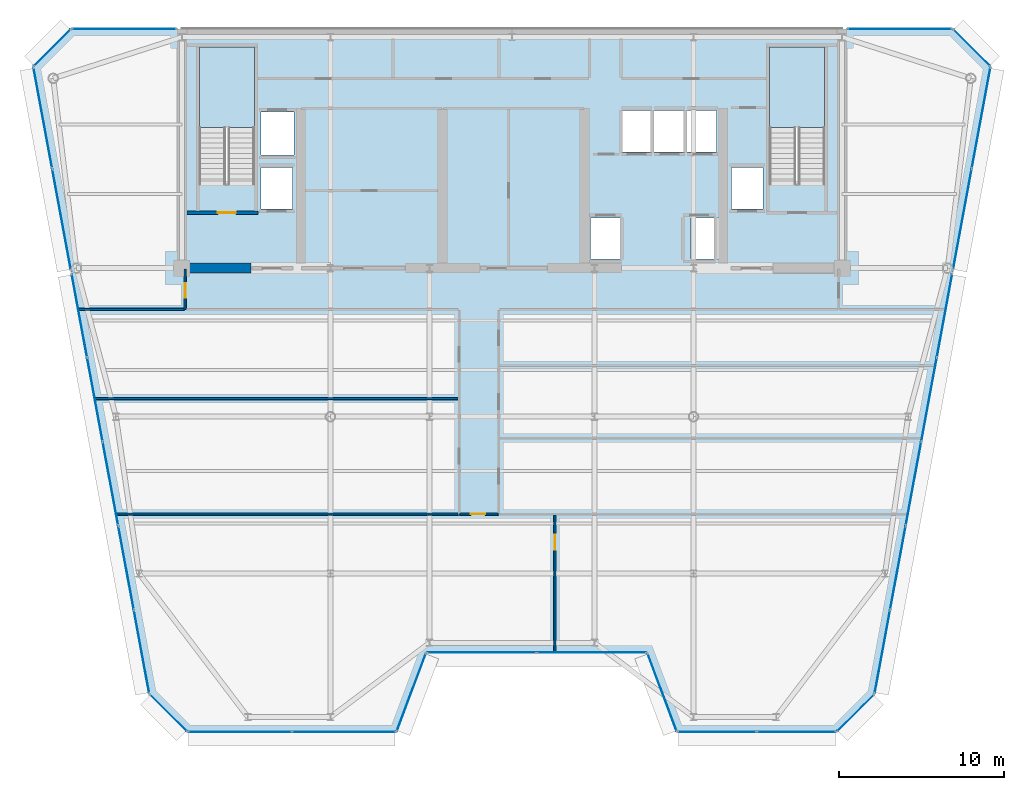
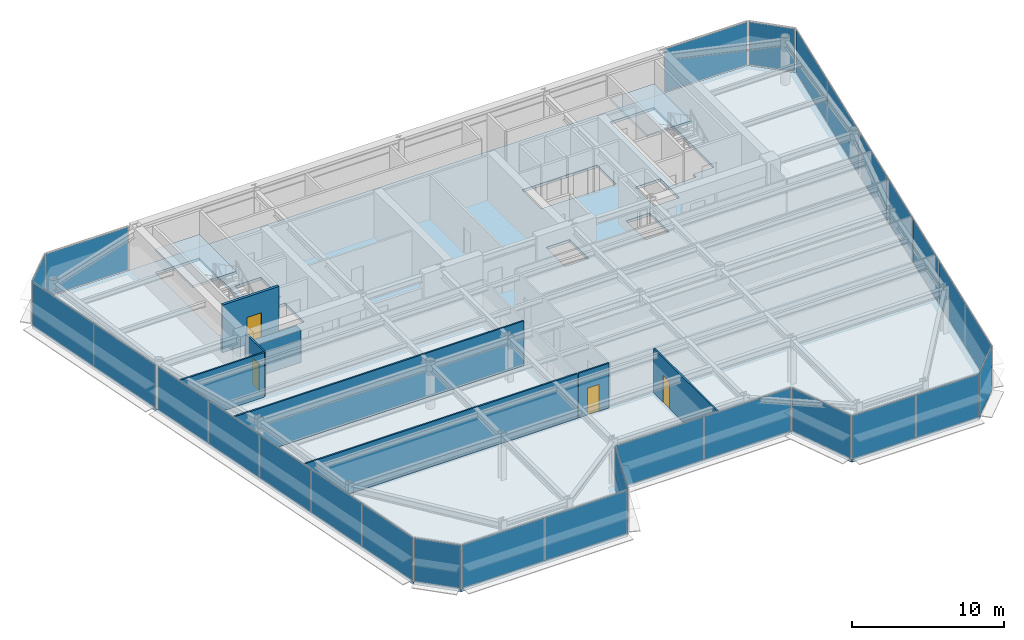
# One storey, part 10 of 16: 28 plates, 8 walls, 4 doors, 3 slabs, 4 openings, 17 elements without a shape of their own.
"""IFC4 building model written with IfcOpenShell, lengths in metres."""

from ifc_helpers import new_model, si_unit, direction, frame, frame_2d, origin, origin_2d, place, context, subcontext, project, spatial, polyline, rectangle, outline, extrude, source, transform, mapped, material, layer, layer_set, type_object, element, fill, aggregate, save


model = new_model("IFC4")

# Units and contexts
model_context = context("Model", 3, precision=1e-05, world=origin(), true_north=direction((0.0, 1.0)))
body_context = subcontext(model_context, "Body", "Model", "MODEL_VIEW")
ifc_project = project(units=[si_unit("LENGTHUNIT", "METRE"), si_unit("AREAUNIT", "SQUARE_METRE"), si_unit("VOLUMEUNIT", "CUBIC_METRE"), si_unit("PLANEANGLEUNIT", "RADIAN"), si_unit("MASSUNIT", "GRAM", prefix="KILO")], contexts=[model_context])

# Site, building, storey
site_placement = place(None, origin())
site = spatial("IfcSite", under=ifc_project, at=site_placement, CompositionType="ELEMENT")
building_placement = place(site_placement, origin())
building = spatial("IfcBuilding", under=site, at=building_placement, Name="Vaeldorn Concourse Tower", CompositionType="ELEMENT")
storey_placement = place(building_placement, frame((0.0, 0.0, 227.0)))
storey = spatial("IfcBuildingStorey", under=building, at=storey_placement, Name="L58", CompositionType="ELEMENT", Elevation=227.0)

# Stair, slab
ifc_material_1 = material(Name="Precast concrete C40/50", Category="concrete")
stair_type = type_object("IfcStairType", Name="STR-DOG-24x158", PredefinedType="HALF_TURN_STAIR", material=ifc_material_1)
stair_1_placement = place(storey_placement, origin())
stair_1 = element("IfcStair", 1, at=stair_1_placement, inside=storey, type_object=stair_type, Name="L58 West Core Exit Stair ST-1", PredefinedType="HALF_TURN_STAIR")
ifc_material_2 = material(Name="Concrete C40/50", Category="concrete")
ifc_layer_1 = layer(ifc_material_2, 0.199951171875)
ifc_layer_set_1 = layer_set([ifc_layer_1], Name="Concrete C40/50")
slab_type_1 = type_object("IfcSlabType", Name="SL-STAIR-LANDING", PredefinedType="LANDING", material=ifc_layer_set_1)
slab_1_placement = place(storey_placement, frame((0.0, 0.0, 1.699951171875)))
slab_1 = element("IfcSlab", 2, at=slab_1_placement, type_object=slab_type_1, Name="ST-1 landing 1", PredefinedType="LANDING", context=body_context, shape_type="SweptSolid", body=[
    extrude(outline(polyline([(18.39990234375, 45.010009765625), (18.39990234375, 49.89990234375), (15.050048828125, 49.89990234375), (15.050048828125, 45.010009765625), (18.39990234375, 45.010009765625)])), origin(), (0.0, 0.0, 1.0), 0.199951171875),
])
aggregate(stair_1, [slab_1])

stair_2_placement = place(storey_placement, origin())
stair_2 = element("IfcStair", 3, at=stair_2_placement, inside=storey, type_object=stair_type, Name="L58 East Core Exit Stair ST-2", PredefinedType="HALF_TURN_STAIR")
slab_2_placement = place(storey_placement, frame((0.0, 0.0, 1.699951171875)))
slab_2 = element("IfcSlab", 4, at=slab_2_placement, type_object=slab_type_1, Name="ST-2 landing 1", PredefinedType="LANDING", context=body_context, shape_type="SweptSolid", body=[
    extrude(outline(polyline([(52.949951171875, 45.010009765625), (52.949951171875, 49.89990234375), (49.60009765625, 49.89990234375), (49.60009765625, 45.010009765625), (52.949951171875, 45.010009765625)])), origin(), (0.0, 0.0, 1.0), 0.199951171875),
])
aggregate(stair_2, [slab_2])

# Slab
ifc_layer_2 = layer(ifc_material_2, 0.219970703125)
ifc_layer_set_2 = layer_set([ifc_layer_2], Name="Concrete C40/50")
slab_type_2 = type_object("IfcSlabType", Name="SL-TYP-220", PredefinedType="FLOOR", material=ifc_layer_set_2)
slab_3_placement = place(storey_placement, frame((0.0, 0.0, -0.219970703125)))
element("IfcSlab", 5, at=slab_3_placement, inside=storey, type_object=slab_type_2, Name="Structural Floor Slab L58", PredefinedType="FLOOR", context=body_context, shape_type="SweptSolid", body=[
    extrude(outline(polyline([(14.3291015625, 8.39990234375), (27.0, 8.39990234375), (28.800048828125, 13.199951171875), (42.199951171875, 13.199951171875), (44.0, 8.39990234375), (53.6708984375, 8.39990234375), (55.970947265625, 10.699951171875), (63.0, 48.699951171875), (60.699951171875, 51.0), (7.300048828125, 51.0), (5.0, 48.699951171875), (12.029052734375, 10.699951171875), (14.3291015625, 8.39990234375)]), holes=[polyline([(18.39990234375, 42.0), (18.39990234375, 49.89990234375), (15.050048828125, 49.89990234375), (15.050048828125, 41.60009765625), (16.800048828125, 41.60009765625), (16.800048828125, 42.0), (18.39990234375, 42.0)]), polyline([(52.949951171875, 42.0), (52.949951171875, 49.89990234375), (49.60009765625, 49.89990234375), (49.60009765625, 41.60009765625), (51.35009765625, 41.60009765625), (51.35009765625, 42.0), (52.949951171875, 42.0)]), polyline([(38.75, 37.050048828125), (40.550048828125, 37.050048828125), (40.550048828125, 39.550048828125), (38.75, 39.550048828125), (38.75, 37.050048828125)]), polyline([(44.85009765625, 37.050048828125), (46.64990234375, 37.050048828125), (46.64990234375, 39.550048828125), (44.85009765625, 39.550048828125), (44.85009765625, 37.050048828125)]), polyline([(40.699951171875, 43.550048828125), (46.39990234375, 43.550048828125), (46.39990234375, 46.050048828125), (40.699951171875, 46.050048828125), (40.699951171875, 43.550048828125)]), polyline([(18.800048828125, 43.35009765625), (20.800048828125, 43.35009765625), (20.800048828125, 45.949951171875), (18.800048828125, 45.949951171875), (18.800048828125, 43.35009765625)]), polyline([(18.800048828125, 40.10009765625), (20.699951171875, 40.10009765625), (20.699951171875, 42.60009765625), (18.800048828125, 42.60009765625), (18.800048828125, 40.10009765625)]), polyline([(47.300048828125, 40.10009765625), (49.199951171875, 40.10009765625), (49.199951171875, 42.60009765625), (47.300048828125, 42.60009765625), (47.300048828125, 40.10009765625)])]), origin(), (0.0, 0.0, 1.0), 0.219970703125),
])

# Curtain wall, plate
ifc_material_3 = material(Name="Anodised Bronze Aluminium", Category="aluminium")
ifc_layer_3 = layer(ifc_material_3, 0.179931640625)
ifc_layer_set_3 = layer_set([ifc_layer_3], Name="Anodised Bronze Aluminium")
curtain_wall_type = type_object("IfcCurtainWallType", Name="CW-SYS-05", PredefinedType="NOTDEFINED", material=ifc_layer_set_3)
curtain_wall_1_placement = place(storey_placement, origin())
curtain_wall_1 = element("IfcCurtainWall", 6, at=curtain_wall_1_placement, inside=storey, type_object=curtain_wall_type, Name="Unitised Curtain Wall CW-L58-E02-1", PredefinedType="NOTDEFINED")
ifc_material_4 = material(Name="Bronze Tinted Low-E Insulated Glass", Category="glass")
ifc_layer_4 = layer(ifc_material_4, 0.031982421875)
ifc_layer_set_4 = layer_set([ifc_layer_4], Name="Bronze Tinted Low-E Insulated Glass")
plate_type = type_object("IfcPlateType", Name="CWP-VISION-32", PredefinedType="CURTAIN_PANEL", material=ifc_layer_set_4)
shared_shape_1 = source(origin(), body_context, "Body", "SweptSolid", [
    extrude(rectangle(XDim=4.996337890625, YDim=0.031982421875, at=origin_2d()), origin(), (0.0, 0.0, 1.0), 3.449951171875),
])
plate_1_placement = place(storey_placement, frame((27.89990234375, 10.800048828125, 0.06494140625), z_axis=(0.0, 0.0, 1.0), x_axis=(0.351123441595, 0.936329177566, 0.0)))
plate_1 = element("IfcPlate", 7, at=plate_1_placement, type_object=plate_type, Name="CW-05 panel 1.1", PredefinedType="CURTAIN_PANEL", context=body_context, shape_type="MappedRepresentation", body=[
    mapped(shared_shape_1, transform((0.0, 0.0, 0.0), scale=1.0)),
])
aggregate(curtain_wall_1, [plate_1])

curtain_wall_2_placement = place(storey_placement, origin())
curtain_wall_2 = element("IfcCurtainWall", 8, at=curtain_wall_2_placement, inside=storey, type_object=curtain_wall_type, Name="Unitised Curtain Wall CW-L58-E04-1", PredefinedType="NOTDEFINED")
plate_2_placement = place(storey_placement, frame((43.10009765625, 10.800048828125, 0.06494140625), z_axis=(0.0, 0.0, 1.0), x_axis=(0.351123441595, -0.936329177566, 0.0)))
plate_2 = element("IfcPlate", 9, at=plate_2_placement, type_object=plate_type, Name="CW-05 panel 1.1", PredefinedType="CURTAIN_PANEL", context=body_context, shape_type="MappedRepresentation", body=[
    mapped(shared_shape_1, transform((0.0, 0.0, 0.0), scale=1.0)),
])
aggregate(curtain_wall_2, [plate_2])

# Curtain wall, plates
curtain_wall_3_placement = place(storey_placement, origin())
curtain_wall_3 = element("IfcCurtainWall", 10, at=curtain_wall_3_placement, inside=storey, type_object=curtain_wall_type, Name="Unitised Curtain Wall CW-L58-E03-1", PredefinedType="NOTDEFINED")
shared_shape_2 = source(origin(), body_context, "Body", "SweptSolid", [
    extrude(rectangle(XDim=6.6025390625, YDim=0.031982421875, at=origin_2d()), origin(), (0.0, 0.0, 1.0), 3.449951171875),
])
plate_3_placement = place(storey_placement, frame((32.166259765625, 13.199951171875, 0.06494140625), z_axis=(0.0, 0.0, 1.0), x_axis=(1.0, 0.0, 0.0)))
plate_3 = element("IfcPlate", 11, at=plate_3_placement, type_object=plate_type, Name="CW-05 panel 1.1", PredefinedType="CURTAIN_PANEL", context=body_context, shape_type="MappedRepresentation", body=[
    mapped(shared_shape_2, transform((0.0, 0.0, 0.0), scale=1.0)),
])
plate_4_placement = place(storey_placement, frame((38.833740234375, 13.199951171875, 0.06494140625), z_axis=(0.0, 0.0, 1.0), x_axis=(1.0, 0.0, 0.0)))
plate_4 = element("IfcPlate", 12, at=plate_4_placement, type_object=plate_type, Name="CW-05 panel 2.1", PredefinedType="CURTAIN_PANEL", context=body_context, shape_type="MappedRepresentation", body=[
    mapped(shared_shape_2, transform((0.0, 0.0, 0.0), scale=1.0)),
])
aggregate(curtain_wall_3, [plate_3, plate_4])

# Curtain wall, plate
curtain_wall_4_placement = place(storey_placement, origin())
curtain_wall_4 = element("IfcCurtainWall", 13, at=curtain_wall_4_placement, inside=storey, type_object=curtain_wall_type, Name="Unitised Curtain Wall CW-L58-E06-1", PredefinedType="NOTDEFINED")
shared_shape_3 = source(origin(), body_context, "Body", "SweptSolid", [
    extrude(rectangle(XDim=3.122802734375, YDim=0.031982421875, at=origin_2d()), origin(), (0.0, 0.0, 1.0), 3.449951171875),
])
plate_5_placement = place(storey_placement, frame((54.821044921875, 9.550048828125, 0.06494140625), z_axis=(0.0, 0.0, 1.0), x_axis=(0.707106781187, 0.707106781187, 0.0)))
plate_5 = element("IfcPlate", 14, at=plate_5_placement, type_object=plate_type, Name="CW-05 panel 1.1", PredefinedType="CURTAIN_PANEL", context=body_context, shape_type="MappedRepresentation", body=[
    mapped(shared_shape_3, transform((0.0, 0.0, 0.0), scale=1.0)),
])
aggregate(curtain_wall_4, [plate_5])

curtain_wall_5_placement = place(storey_placement, origin())
curtain_wall_5 = element("IfcCurtainWall", 15, at=curtain_wall_5_placement, inside=storey, type_object=curtain_wall_type, Name="Unitised Curtain Wall CW-L58-E08-1", PredefinedType="NOTDEFINED")
plate_6_placement = place(storey_placement, frame((61.85009765625, 49.85009765625, 0.06494140625), z_axis=(0.0, 0.0, 1.0), x_axis=(-0.707106781187, 0.707106781187, 0.0)))
plate_6 = element("IfcPlate", 16, at=plate_6_placement, type_object=plate_type, Name="CW-05 panel 1.1", PredefinedType="CURTAIN_PANEL", context=body_context, shape_type="MappedRepresentation", body=[
    mapped(shared_shape_3, transform((0.0, 0.0, 0.0), scale=1.0)),
])
aggregate(curtain_wall_5, [plate_6])

curtain_wall_6_placement = place(storey_placement, origin())
curtain_wall_6 = element("IfcCurtainWall", 17, at=curtain_wall_6_placement, inside=storey, type_object=curtain_wall_type, Name="Unitised Curtain Wall CW-L58-E10-1", PredefinedType="NOTDEFINED")
plate_7_placement = place(storey_placement, frame((6.14990234375, 49.85009765625, 0.06494140625), z_axis=(0.0, 0.0, 1.0), x_axis=(-0.707106781187, -0.707106781187, 0.0)))
plate_7 = element("IfcPlate", 18, at=plate_7_placement, type_object=plate_type, Name="CW-05 panel 1.1", PredefinedType="CURTAIN_PANEL", context=body_context, shape_type="MappedRepresentation", body=[
    mapped(shared_shape_3, transform((0.0, 0.0, 0.0), scale=1.0)),
])
aggregate(curtain_wall_6, [plate_7])

curtain_wall_7_placement = place(storey_placement, origin())
curtain_wall_7 = element("IfcCurtainWall", 19, at=curtain_wall_7_placement, inside=storey, type_object=curtain_wall_type, Name="Unitised Curtain Wall CW-L58-E12-1", PredefinedType="NOTDEFINED")
plate_8_placement = place(storey_placement, frame((13.178955078125, 9.550048828125, 0.06494140625), z_axis=(0.0, 0.0, 1.0), x_axis=(0.707106781187, -0.707106781187, 0.0)))
plate_8 = element("IfcPlate", 20, at=plate_8_placement, type_object=plate_type, Name="CW-05 panel 1.1", PredefinedType="CURTAIN_PANEL", context=body_context, shape_type="MappedRepresentation", body=[
    mapped(shared_shape_3, transform((0.0, 0.0, 0.0), scale=1.0)),
])
aggregate(curtain_wall_7, [plate_8])

curtain_wall_8_placement = place(storey_placement, origin())
curtain_wall_8 = element("IfcCurtainWall", 21, at=curtain_wall_8_placement, inside=storey, type_object=curtain_wall_type, Name="Unitised Curtain Wall CW-L58-E09-1", PredefinedType="NOTDEFINED")
shared_shape_4 = source(origin(), body_context, "Body", "SweptSolid", [
    extrude(rectangle(XDim=6.27490234375, YDim=0.031982421875, at=origin_2d()), origin(), (0.0, 0.0, 1.0), 3.449951171875),
])
plate_9_placement = place(storey_placement, frame((57.49755859375, 51.0, 0.06494140625), z_axis=(0.0, 0.0, 1.0), x_axis=(-1.0, 0.0, 0.0)))
plate_9 = element("IfcPlate", 22, at=plate_9_placement, type_object=plate_type, Name="CW-05 panel 1.1", PredefinedType="CURTAIN_PANEL", context=body_context, shape_type="MappedRepresentation", body=[
    mapped(shared_shape_4, transform((0.0, 0.0, 0.0), scale=1.0)),
])
aggregate(curtain_wall_8, [plate_9])

curtain_wall_9_placement = place(storey_placement, origin())
curtain_wall_9 = element("IfcCurtainWall", 23, at=curtain_wall_9_placement, inside=storey, type_object=curtain_wall_type, Name="Unitised Curtain Wall CW-L58-E09-2", PredefinedType="NOTDEFINED")
plate_10_placement = place(storey_placement, frame((10.50244140625, 51.0, 0.06494140625), z_axis=(0.0, 0.0, 1.0), x_axis=(-1.0, 0.0, 0.0)))
plate_10 = element("IfcPlate", 24, at=plate_10_placement, type_object=plate_type, Name="CW-05 panel 1.1", PredefinedType="CURTAIN_PANEL", context=body_context, shape_type="MappedRepresentation", body=[
    mapped(shared_shape_4, transform((0.0, 0.0, 0.0), scale=1.0)),
])
aggregate(curtain_wall_9, [plate_10])

# Curtain wall, plates
curtain_wall_10_placement = place(storey_placement, origin())
curtain_wall_10 = element("IfcCurtainWall", 25, at=curtain_wall_10_placement, inside=storey, type_object=curtain_wall_type, Name="Unitised Curtain Wall CW-L58-E01-1", PredefinedType="NOTDEFINED")
shared_shape_5 = source(origin(), body_context, "Body", "SweptSolid", [
    extrude(rectangle(XDim=6.238037109375, YDim=0.031982421875, at=origin_2d()), origin(), (0.0, 0.0, 1.0), 3.449951171875),
])
plate_11_placement = place(storey_placement, frame((17.512939453125, 8.39990234375, 0.06494140625), z_axis=(0.0, 0.0, 1.0), x_axis=(1.0, 0.0, 0.0)))
plate_11 = element("IfcPlate", 26, at=plate_11_placement, type_object=plate_type, Name="CW-05 panel 1.1", PredefinedType="CURTAIN_PANEL", context=body_context, shape_type="MappedRepresentation", body=[
    mapped(shared_shape_5, transform((0.0, 0.0, 0.0), scale=1.0)),
])
plate_12_placement = place(storey_placement, frame((23.81591796875, 8.39990234375, 0.06494140625), z_axis=(0.0, 0.0, 1.0), x_axis=(1.0, 0.0, 0.0)))
plate_12 = element("IfcPlate", 27, at=plate_12_placement, type_object=plate_type, Name="CW-05 panel 2.1", PredefinedType="CURTAIN_PANEL", context=body_context, shape_type="MappedRepresentation", body=[
    mapped(shared_shape_5, transform((0.0, 0.0, 0.0), scale=1.0)),
])
aggregate(curtain_wall_10, [plate_11, plate_12])

curtain_wall_11_placement = place(storey_placement, origin())
curtain_wall_11 = element("IfcCurtainWall", 28, at=curtain_wall_11_placement, inside=storey, type_object=curtain_wall_type, Name="Unitised Curtain Wall CW-L58-E05-1", PredefinedType="NOTDEFINED")
shared_shape_6 = source(origin(), body_context, "Body", "SweptSolid", [
    extrude(rectangle(XDim=4.738037109375, YDim=0.031982421875, at=origin_2d()), origin(), (0.0, 0.0, 1.0), 3.449951171875),
])
plate_13_placement = place(storey_placement, frame((46.43408203125, 8.39990234375, 0.06494140625), z_axis=(0.0, 0.0, 1.0), x_axis=(1.0, 0.0, 0.0)))
plate_13 = element("IfcPlate", 29, at=plate_13_placement, type_object=plate_type, Name="CW-05 panel 1.1", PredefinedType="CURTAIN_PANEL", context=body_context, shape_type="MappedRepresentation", body=[
    mapped(shared_shape_6, transform((0.0, 0.0, 0.0), scale=1.0)),
])
plate_14_placement = place(storey_placement, frame((51.237060546875, 8.39990234375, 0.06494140625), z_axis=(0.0, 0.0, 1.0), x_axis=(1.0, 0.0, 0.0)))
plate_14 = element("IfcPlate", 30, at=plate_14_placement, type_object=plate_type, Name="CW-05 panel 2.1", PredefinedType="CURTAIN_PANEL", context=body_context, shape_type="MappedRepresentation", body=[
    mapped(shared_shape_6, transform((0.0, 0.0, 0.0), scale=1.0)),
])
aggregate(curtain_wall_11, [plate_13, plate_14])

curtain_wall_12_placement = place(storey_placement, origin())
curtain_wall_12 = element("IfcCurtainWall", 31, at=curtain_wall_12_placement, inside=storey, type_object=curtain_wall_type, Name="Unitised Curtain Wall CW-L58-E07-1", PredefinedType="NOTDEFINED")
shared_shape_7 = source(origin(), body_context, "Body", "SweptSolid", [
    extrude(rectangle(XDim=5.0859375, YDim=0.031982421875, at=origin_2d()), origin(), (0.0, 0.0, 1.0), 3.449951171875),
])
plate_15_placement = place(storey_placement, frame((56.4453125, 13.264404296875, 0.06494140625), z_axis=(0.0, 0.0, 1.0), x_axis=(0.181889882456, 0.98331890588, 0.0)))
plate_15 = element("IfcPlate", 32, at=plate_15_placement, type_object=plate_type, Name="CW-05 panel 1.1", PredefinedType="CURTAIN_PANEL", context=body_context, shape_type="MappedRepresentation", body=[
    mapped(shared_shape_7, transform((0.0, 0.0, 0.0), scale=1.0)),
])
plate_16_placement = place(storey_placement, frame((60.210693359375, 33.62060546875, 0.06494140625), z_axis=(0.0, 0.0, 1.0), x_axis=(0.181889882456, 0.98331890588, 0.0)))
plate_16 = element("IfcPlate", 33, at=plate_16_placement, type_object=plate_type, Name="CW-05 panel 5.1", PredefinedType="CURTAIN_PANEL", context=body_context, shape_type="MappedRepresentation", body=[
    mapped(shared_shape_7, transform((0.0, 0.0, 0.0), scale=1.0)),
])

curtain_wall_13_placement = place(storey_placement, origin())
curtain_wall_13 = element("IfcCurtainWall", 34, at=curtain_wall_13_placement, inside=storey, type_object=curtain_wall_type, Name="Unitised Curtain Wall CW-L58-E11-2", PredefinedType="NOTDEFINED")
plate_17_placement = place(storey_placement, frame((7.789306640625, 33.62060546875, 0.06494140625), z_axis=(0.0, 0.0, 1.0), x_axis=(0.181889882456, -0.98331890588, 0.0)))
plate_17 = element("IfcPlate", 35, at=plate_17_placement, type_object=plate_type, Name="CW-05 panel 1.1", PredefinedType="CURTAIN_PANEL", context=body_context, shape_type="MappedRepresentation", body=[
    mapped(shared_shape_7, transform((0.0, 0.0, 0.0), scale=1.0)),
])
plate_18_placement = place(storey_placement, frame((11.5546875, 13.264404296875, 0.06494140625), z_axis=(0.0, 0.0, 1.0), x_axis=(0.181889882456, -0.98331890588, 0.0)))
plate_18 = element("IfcPlate", 36, at=plate_18_placement, type_object=plate_type, Name="CW-05 panel 5.1", PredefinedType="CURTAIN_PANEL", context=body_context, shape_type="MappedRepresentation", body=[
    mapped(shared_shape_7, transform((0.0, 0.0, 0.0), scale=1.0)),
])

# Plate
shared_shape_8 = source(origin(), body_context, "Body", "SweptSolid", [
    extrude(rectangle(XDim=5.118408203125, YDim=0.031982421875, at=origin_2d()), origin(), (0.0, 0.0, 1.0), 3.449951171875),
])
plate_19_placement = place(storey_placement, frame((57.38525390625, 18.345458984375, 0.06494140625), z_axis=(0.0, 0.0, 1.0), x_axis=(0.181889882456, 0.98331890588, 0.0)))
plate_19 = element("IfcPlate", 37, at=plate_19_placement, type_object=plate_type, Name="CW-05 panel 2.1", PredefinedType="CURTAIN_PANEL", context=body_context, shape_type="MappedRepresentation", body=[
    mapped(shared_shape_8, transform((0.0, 0.0, 0.0), scale=1.0)),
])

plate_20_placement = place(storey_placement, frame((58.328125, 23.4423828125, 0.06494140625), z_axis=(0.0, 0.0, 1.0), x_axis=(0.181889882456, 0.98331890588, 0.0)))
plate_20 = element("IfcPlate", 38, at=plate_20_placement, type_object=plate_type, Name="CW-05 panel 3.1", PredefinedType="CURTAIN_PANEL", context=body_context, shape_type="MappedRepresentation", body=[
    mapped(shared_shape_8, transform((0.0, 0.0, 0.0), scale=1.0)),
])

plate_21_placement = place(storey_placement, frame((59.270751953125, 28.53955078125, 0.06494140625), z_axis=(0.0, 0.0, 1.0), x_axis=(0.181889882456, 0.98331890588, 0.0)))
plate_21 = element("IfcPlate", 39, at=plate_21_placement, type_object=plate_type, Name="CW-05 panel 4.1", PredefinedType="CURTAIN_PANEL", context=body_context, shape_type="MappedRepresentation", body=[
    mapped(shared_shape_8, transform((0.0, 0.0, 0.0), scale=1.0)),
])

aggregate(curtain_wall_12, [plate_15, plate_19, plate_20, plate_21, plate_16])

plate_22_placement = place(storey_placement, frame((8.729248046875, 28.53955078125, 0.06494140625), z_axis=(0.0, 0.0, 1.0), x_axis=(0.181889882456, -0.98331890588, 0.0)))
plate_22 = element("IfcPlate", 40, at=plate_22_placement, type_object=plate_type, Name="CW-05 panel 2.1", PredefinedType="CURTAIN_PANEL", context=body_context, shape_type="MappedRepresentation", body=[
    mapped(shared_shape_8, transform((0.0, 0.0, 0.0), scale=1.0)),
])

plate_23_placement = place(storey_placement, frame((9.671875, 23.4423828125, 0.06494140625), z_axis=(0.0, 0.0, 1.0), x_axis=(0.181889882456, -0.98331890588, 0.0)))
plate_23 = element("IfcPlate", 41, at=plate_23_placement, type_object=plate_type, Name="CW-05 panel 3.1", PredefinedType="CURTAIN_PANEL", context=body_context, shape_type="MappedRepresentation", body=[
    mapped(shared_shape_8, transform((0.0, 0.0, 0.0), scale=1.0)),
])

plate_24_placement = place(storey_placement, frame((10.61474609375, 18.345458984375, 0.06494140625), z_axis=(0.0, 0.0, 1.0), x_axis=(0.181889882456, -0.98331890588, 0.0)))
plate_24 = element("IfcPlate", 42, at=plate_24_placement, type_object=plate_type, Name="CW-05 panel 4.1", PredefinedType="CURTAIN_PANEL", context=body_context, shape_type="MappedRepresentation", body=[
    mapped(shared_shape_8, transform((0.0, 0.0, 0.0), scale=1.0)),
])

aggregate(curtain_wall_13, [plate_17, plate_22, plate_23, plate_24, plate_18])

# Curtain wall, plates
curtain_wall_14_placement = place(storey_placement, origin())
curtain_wall_14 = element("IfcCurtainWall", 43, at=curtain_wall_14_placement, inside=storey, type_object=curtain_wall_type, Name="Unitised Curtain Wall CW-L58-E07-2", PredefinedType="NOTDEFINED")
shared_shape_9 = source(origin(), body_context, "Body", "SweptSolid", [
    extrude(rectangle(XDim=6.183837890625, YDim=0.031982421875, at=origin_2d()), origin(), (0.0, 0.0, 1.0), 3.449951171875),
])
plate_25_placement = place(storey_placement, frame((61.289306640625, 39.451171875, 0.06494140625), z_axis=(0.0, 0.0, 1.0), x_axis=(0.181888300792, 0.983319198447, 0.0)))
plate_25 = element("IfcPlate", 44, at=plate_25_placement, type_object=plate_type, Name="CW-05 panel 1.1", PredefinedType="CURTAIN_PANEL", context=body_context, shape_type="MappedRepresentation", body=[
    mapped(shared_shape_9, transform((0.0, 0.0, 0.0), scale=1.0)),
])
plate_26_placement = place(storey_placement, frame((62.42578125, 45.595703125, 0.06494140625), z_axis=(0.0, 0.0, 1.0), x_axis=(0.181888300792, 0.983319198447, 0.0)))
plate_26 = element("IfcPlate", 45, at=plate_26_placement, type_object=plate_type, Name="CW-05 panel 2.1", PredefinedType="CURTAIN_PANEL", context=body_context, shape_type="MappedRepresentation", body=[
    mapped(shared_shape_9, transform((0.0, 0.0, 0.0), scale=1.0)),
])
aggregate(curtain_wall_14, [plate_25, plate_26])

curtain_wall_15_placement = place(storey_placement, origin())
curtain_wall_15 = element("IfcCurtainWall", 46, at=curtain_wall_15_placement, inside=storey, type_object=curtain_wall_type, Name="Unitised Curtain Wall CW-L58-E11-1", PredefinedType="NOTDEFINED")
plate_27_placement = place(storey_placement, frame((5.57421875, 45.595703125, 0.06494140625), z_axis=(0.0, 0.0, 1.0), x_axis=(0.181888300792, -0.983319198447, 0.0)))
plate_27 = element("IfcPlate", 47, at=plate_27_placement, type_object=plate_type, Name="CW-05 panel 1.1", PredefinedType="CURTAIN_PANEL", context=body_context, shape_type="MappedRepresentation", body=[
    mapped(shared_shape_9, transform((0.0, 0.0, 0.0), scale=1.0)),
])
plate_28_placement = place(storey_placement, frame((6.710693359375, 39.451171875, 0.06494140625), z_axis=(0.0, 0.0, 1.0), x_axis=(0.181888300792, -0.983319198447, 0.0)))
plate_28 = element("IfcPlate", 48, at=plate_28_placement, type_object=plate_type, Name="CW-05 panel 2.1", PredefinedType="CURTAIN_PANEL", context=body_context, shape_type="MappedRepresentation", body=[
    mapped(shared_shape_9, transform((0.0, 0.0, 0.0), scale=1.0)),
])
aggregate(curtain_wall_15, [plate_27, plate_28])

# Wall
ifc_material_5 = material(Name="Concrete C50/60", Category="concrete")
ifc_layer_5 = layer(ifc_material_5, 0.60009765625)
ifc_layer_set_5 = layer_set([ifc_layer_5], Name="Concrete C50/60")
wall_type_1 = type_object("IfcWallType", Name="WL-CORE-600", PredefinedType="SHEAR", material=ifc_layer_set_5)
wall_1_placement = place(storey_placement, frame((14.320068359375, 36.5, 0.0), z_axis=(0.0, 0.0, 1.0), x_axis=(1.0, 0.0, 0.0)))
element("IfcWall", 49, at=wall_1_placement, inside=storey, type_object=wall_type_1, Name="Rear Core Shear Wall L58 S1", PredefinedType="SHEAR", context=body_context, shape_type="SweptSolid", body=[
    extrude(rectangle(XDim=3.8798828125, YDim=0.60009765625, at=frame_2d((1.93994140625, 0.0))), origin(), (0.0, 0.0, 1.0), 2.580078125),
])

# Wall, opening, door
ifc_material_6 = material(Name="Gypsum Board Partition", Category="gypsum")
ifc_layer_6 = layer(ifc_material_6, 0.1201171875)
ifc_layer_set_6 = layer_set([ifc_layer_6], Name="Gypsum Board Partition")
wall_type_2 = type_object("IfcWallType", Name="WL-PART-120", PredefinedType="PARTITIONING", material=ifc_layer_set_6)
wall_2_placement = place(storey_placement, frame((14.199951171875, 34.0, 0.0), z_axis=(0.0, 0.0, 1.0), x_axis=(0.0, 1.0, 0.0)))
wall_2 = element("IfcWall", 50, at=wall_2_placement, inside=storey, type_object=wall_type_2, Name="Interior Wall PW-L58-C3W", PredefinedType="PARTITIONING", context=body_context, shape_type="SweptSolid", body=[
    extrude(rectangle(XDim=2.43994140625, YDim=0.1201171875, at=frame_2d((1.219970703125, 0.0))), origin(), (0.0, 0.0, 1.0), 3.580078125),
])
opening_1_placement = place(wall_2_placement, frame((0.699951171875, 0.0, 0.0)))
opening_1 = element("IfcOpeningElement", 51, at=opening_1_placement, cuts=wall_2, Name="Opening D-03", PredefinedType="OPENING", context=body_context, shape_type="SweptSolid", body=[
    extrude(rectangle(XDim=0.89990234375, YDim=2.14990234375, at=frame_2d((0.449951171875, 1.074951171875))), frame((0.0, 0.070068359375, 0.0), z_axis=(0.0, -1.0, 0.0), x_axis=(1.0, 0.0, 0.0)), (0.0, 0.0, 1.0), 0.14013671875),
])
ifc_material_7 = material(Name="Acoustic Bronze-Framed Glass Door", Category="glass")
door_type_1 = type_object("IfcDoorType", Name="DR-INT-900", OperationType="NOTDEFINED", PredefinedType="DOOR", material=ifc_material_7)
shared_shape_10 = source(origin(), body_context, "Body", "SweptSolid", [
    extrude(rectangle(XDim=0.89990234375, YDim=2.14990234375, at=frame_2d((0.449951171875, 1.074951171875))), frame((0.0, 0.02490234375, 0.0), z_axis=(0.0, -1.0, 0.0), x_axis=(1.0, 0.0, 0.0)), (0.0, 0.0, 1.0), 0.050048828125),
])
door_1_placement = place(opening_1_placement, origin())
door_1 = element("IfcDoor", 52, at=door_1_placement, inside=storey, type_object=door_type_1, Name="Interior Door DR-L58-Z3NW", OperationType="SINGLE_SWING_LEFT", OverallHeight=2.14990234375, OverallWidth=0.89990234375, PredefinedType="DOOR", context=body_context, shape_type="MappedRepresentation", body=[
    mapped(shared_shape_10, transform((0.0, 0.0, 0.0), scale=1.0)),
])
fill(opening_1, door_1)

wall_3_placement = place(storey_placement, frame((30.840087890625, 21.60009765625, 0.0), z_axis=(0.0, 0.0, 1.0), x_axis=(1.0, 0.0, 0.0)))
wall_3 = element("IfcWall", 53, at=wall_3_placement, inside=storey, type_object=wall_type_2, Name="Interior Wall PW-L58-CSPS", PredefinedType="PARTITIONING", context=body_context, shape_type="SweptSolid", body=[
    extrude(rectangle(XDim=2.31982421875, YDim=0.1201171875, at=frame_2d((1.159912109375, 0.0))), origin(), (0.0, 0.0, 1.0), 3.580078125),
])
opening_2_placement = place(wall_3_placement, frame((0.64990234375, 0.0, 0.0)))
opening_2 = element("IfcOpeningElement", 54, at=opening_2_placement, cuts=wall_3, Name="Opening D-03", PredefinedType="OPENING", context=body_context, shape_type="SweptSolid", body=[
    extrude(rectangle(XDim=0.89990234375, YDim=2.14990234375, at=frame_2d((0.449951171875, 1.074951171875))), frame((0.0, 0.070068359375, 0.0), z_axis=(0.0, -1.0, 0.0), x_axis=(1.0, 0.0, 0.0)), (0.0, 0.0, 1.0), 0.14013671875),
])
door_2_placement = place(opening_2_placement, origin())
door_2 = element("IfcDoor", 55, at=door_2_placement, inside=storey, type_object=door_type_1, Name="Interior Door DR-L58-Z3SM", OperationType="SINGLE_SWING_LEFT", OverallHeight=2.14990234375, OverallWidth=0.89990234375, PredefinedType="DOOR", context=body_context, shape_type="MappedRepresentation", body=[
    mapped(shared_shape_10, transform((0.0, 0.0, 0.0), scale=1.0)),
])
fill(opening_2, door_2)

# Walls
wall_4_placement = place(storey_placement, frame((7.759033203125, 34.0, 0.0), z_axis=(0.0, 0.0, 1.0), x_axis=(1.0, 0.0, 0.0)))
element("IfcWall", 56, at=wall_4_placement, inside=storey, type_object=wall_type_2, Name="Interior Wall PW-L58-Z3NWB", PredefinedType="PARTITIONING", context=body_context, shape_type="SweptSolid", body=[
    extrude(rectangle(XDim=6.380859375, YDim=0.1201171875, at=frame_2d((3.1904296875, 0.0))), origin(), (0.0, 0.0, 1.0), 3.580078125),
])
wall_5_placement = place(storey_placement, frame((8.758056640625, 28.60009765625, 0.0), z_axis=(0.0, 0.0, 1.0), x_axis=(1.0, 0.0, 0.0)))
element("IfcWall", 57, at=wall_5_placement, inside=storey, type_object=wall_type_2, Name="Interior Wall PW-L58-Z3WY1", PredefinedType="PARTITIONING", context=body_context, shape_type="SweptSolid", body=[
    extrude(rectangle(XDim=21.98193359375, YDim=0.1201171875, at=frame_2d((10.990966796875, 0.0))), origin(), (0.0, 0.0, 1.0), 3.580078125),
])
wall_6_placement = place(storey_placement, frame((10.052734375, 21.60009765625, 0.0), z_axis=(0.0, 0.0, 1.0), x_axis=(1.0, 0.0, 0.0)))
element("IfcWall", 58, at=wall_6_placement, inside=storey, type_object=wall_type_2, Name="Interior Wall PW-L58-Z3SWL", PredefinedType="PARTITIONING", context=body_context, shape_type="SweptSolid", body=[
    extrude(rectangle(XDim=20.687255859375, YDim=0.1201171875, at=frame_2d((10.34375, 0.0))), origin(), (0.0, 0.0, 1.0), 3.580078125),
])

# Wall, opening, door
wall_7_placement = place(storey_placement, frame((36.60009765625, 13.239990234375, 0.0), z_axis=(0.0, 0.0, 1.0), x_axis=(0.0, 1.0, 0.0)))
wall_7 = element("IfcWall", 59, at=wall_7_placement, inside=storey, type_object=wall_type_2, Name="Interior Wall PW-L58-Z3SX1", PredefinedType="PARTITIONING", context=body_context, shape_type="SweptSolid", body=[
    extrude(rectangle(XDim=8.300048828125, YDim=0.1201171875, at=frame_2d((4.14990234375, 0.0))), origin(), (0.0, 0.0, 1.0), 3.580078125),
])
opening_3_placement = place(wall_7_placement, frame((6.199951171875, 0.0, 0.0)))
opening_3 = element("IfcOpeningElement", 60, at=opening_3_placement, cuts=wall_7, Name="Opening D-03", PredefinedType="OPENING", context=body_context, shape_type="SweptSolid", body=[
    extrude(rectangle(XDim=0.89990234375, YDim=2.14990234375, at=frame_2d((0.449951171875, 1.074951171875))), frame((0.0, 0.070068359375, 0.0), z_axis=(0.0, -1.0, 0.0), x_axis=(1.0, 0.0, 0.0)), (0.0, 0.0, 1.0), 0.14013671875),
])
door_3_placement = place(opening_3_placement, origin())
door_3 = element("IfcDoor", 61, at=door_3_placement, inside=storey, type_object=door_type_1, Name="Interior Door DR-L58-Z3SX1", OperationType="SINGLE_SWING_RIGHT", OverallHeight=2.14990234375, OverallWidth=0.89990234375, PredefinedType="DOOR", context=body_context, shape_type="MappedRepresentation", body=[
    mapped(shared_shape_10, transform((0.0, 0.0, 0.0), scale=1.0)),
])
fill(opening_3, door_3)

ifc_layer_7 = layer(ifc_material_5, 0.199951171875)
ifc_layer_set_7 = layer_set([ifc_layer_7], Name="Concrete C50/60")
wall_type_3 = type_object("IfcWallType", Name="WL-SHAFT-200", PredefinedType="SOLIDWALL", material=ifc_layer_set_7)
wall_8_placement = place(storey_placement, frame((14.300048828125, 39.85009765625, 0.0), z_axis=(0.0, 0.0, 1.0), x_axis=(1.0, 0.0, 0.0)))
wall_8 = element("IfcWall", 62, at=wall_8_placement, inside=storey, type_object=wall_type_3, Name="Stair Shaft Wall CW-L58-ST-1-S", PredefinedType="SOLIDWALL", context=body_context, shape_type="SweptSolid", body=[
    extrude(rectangle(XDim=4.300048828125, YDim=0.199951171875, at=frame_2d((2.14990234375, 0.0))), origin(), (0.0, 0.0, 1.0), 3.800048828125),
])
opening_4_placement = place(wall_8_placement, frame((1.875, 0.0, 0.0)))
opening_4 = element("IfcOpeningElement", 63, at=opening_4_placement, cuts=wall_8, Name="Opening D-01", PredefinedType="OPENING", context=body_context, shape_type="SweptSolid", body=[
    extrude(rectangle(XDim=1.10009765625, YDim=2.14990234375, at=frame_2d((0.550048828125, 1.074951171875))), frame((0.0, 0.10986328125, 0.0), z_axis=(0.0, -1.0, 0.0), x_axis=(1.0, 0.0, 0.0)), (0.0, 0.0, 1.0), 0.219970703125),
])
ifc_material_8 = material(Name="Fire-Rated Timber and Steel Leaf", Category="steel")
door_type_2 = type_object("IfcDoorType", Name="DR-FD60-1100", OperationType="NOTDEFINED", PredefinedType="DOOR", material=ifc_material_8)
shared_shape_11 = source(origin(), body_context, "Body", "SweptSolid", [
    extrude(rectangle(XDim=1.10009765625, YDim=2.14990234375, at=frame_2d((0.550048828125, 1.074951171875))), frame((0.0, 0.02490234375, 0.0), z_axis=(0.0, -1.0, 0.0), x_axis=(1.0, 0.0, 0.0)), (0.0, 0.0, 1.0), 0.050048828125),
])
door_4_placement = place(opening_4_placement, origin())
door_4 = element("IfcDoor", 64, at=door_4_placement, inside=storey, type_object=door_type_2, Name="Interior Door DR-L58-ST-1", OperationType="SINGLE_SWING_LEFT", OverallHeight=2.14990234375, OverallWidth=1.10009765625, PredefinedType="DOOR", context=body_context, shape_type="MappedRepresentation", body=[
    mapped(shared_shape_11, transform((0.0, 0.0, 0.0), scale=1.0)),
])
fill(opening_4, door_4)

save(model, "model.ifc")
